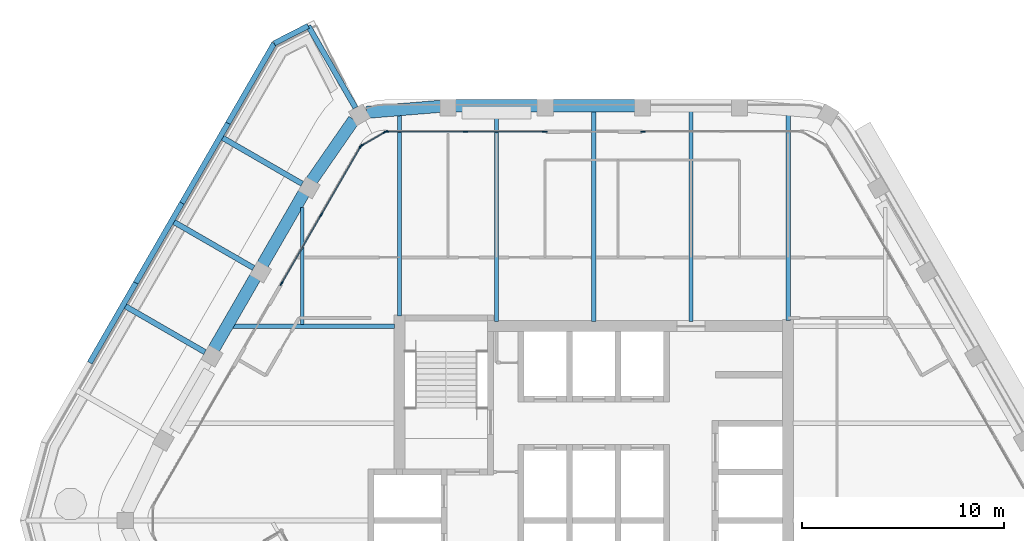
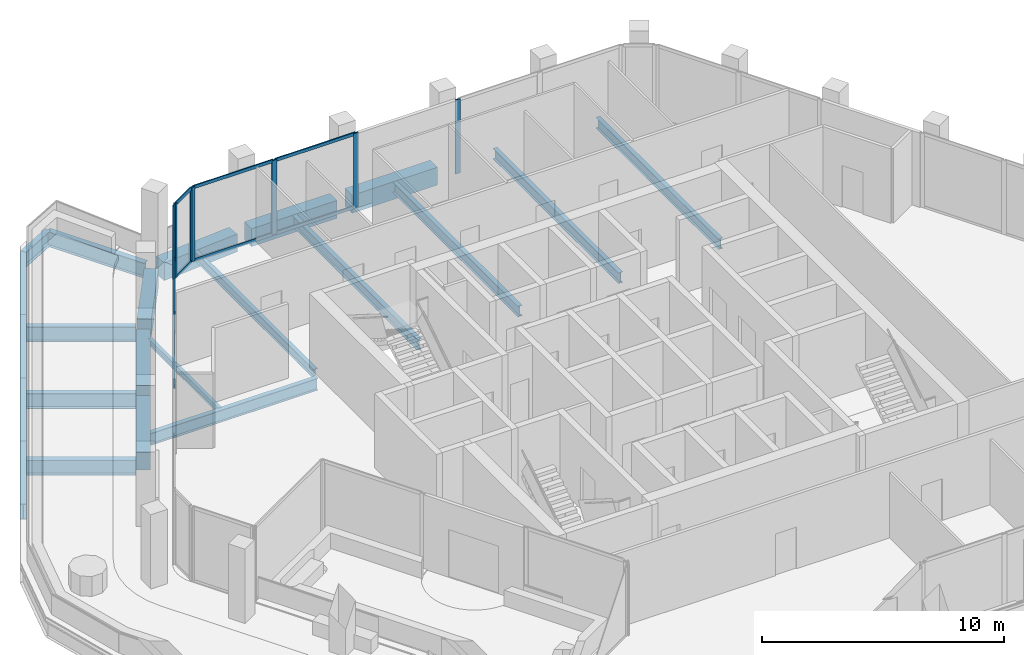
# One storey, part 5 of 15: 22 beams, 19 members, 4 elements without a shape of their own.
"""IFC4 building model written with IfcOpenShell, lengths in metres."""

import ifcopenshell
import ifcopenshell.guid

model = None  # the IFC model being written
_history = None  # IfcOwnerHistory: only IFC2X3 demands one
_inside = {}  # id of a spatial element -> (the spatial element, [elements in it])
_under = {}  # id of a project, library or spatial element -> (it, [spatial elements below it])
_declared = {}  # id of a project -> (the project, [libraries it declares])
_typed = {}  # id of a type object -> (the type object, [elements of that type])
_made_of = {}  # id of a material, layer set ... -> (it, [elements and type objects made of it])


def new_model(schema):
    """Start an empty IFC model of exactly this schema.

    Asked for "IFC4X3", IfcOpenShell would pick the latest addendum, in which some entities
    have other attributes; the version numbers below select the first issue.
    IFC2X3 requires an IfcOwnerHistory on every rooted entity: one is made here for all.
    """
    global model, _history
    if schema == "IFC4X3":
        model = ifcopenshell.file(schema_version=(4, 3, 0, 0))
    else:
        model = ifcopenshell.file(schema=schema)
    _inside.clear()
    _under.clear()
    _declared.clear()
    _typed.clear()
    _made_of.clear()
    _history = None
    if model.schema == "IFC2X3":
        org = make("IfcOrganization", Name="unknown")
        user = make(
            "IfcPersonAndOrganization",
            ThePerson=make("IfcPerson", FamilyName="unknown"),
            TheOrganization=org,
        )
        app = make(
            "IfcApplication",
            ApplicationDeveloper=org,
            Version="unknown",
            ApplicationFullName="unknown",
            ApplicationIdentifier="unknown",
        )
        _history = make(
            "IfcOwnerHistory",
            OwningUser=user,
            OwningApplication=app,
            ChangeAction="ADDED",
            CreationDate=0,
        )
    return model


def make(cls, **values):
    """One entity of the class cls with the attributes given. An attribute that is None is left unset."""
    return model.create_entity(
        cls, **{name: value for name, value in values.items() if value is not None}
    )


def rooted(cls, **values):
    """An entity with a GlobalId (a new one), such as an element, a storey or a relation."""
    return make(cls, GlobalId=ifcopenshell.guid.new(), OwnerHistory=_history, **values)


def si_unit(unit_type, name, prefix=None):
    """IfcSIUnit, for example si_unit("LENGTHUNIT", "METRE", prefix="MILLI")."""
    return make("IfcSIUnit", UnitType=unit_type, Prefix=prefix, Name=name)


def assignment(units):
    """IfcUnitAssignment: the units of a project."""
    return None if units is None else make("IfcUnitAssignment", Units=units)


def point(xyz):
    """IfcCartesianPoint."""
    return None if xyz is None else make("IfcCartesianPoint", Coordinates=xyz)


def direction(xyz):
    """IfcDirection."""
    return None if xyz is None else make("IfcDirection", DirectionRatios=xyz)


def frame(location, z_axis=None, x_axis=None):
    """IfcAxis2Placement3D, a coordinate frame: its origin and axes. An axis left out is left unset."""
    return make(
        "IfcAxis2Placement3D",
        Location=point(location),
        Axis=direction(z_axis),
        RefDirection=direction(x_axis),
    )


def frame_2d(location, x_axis=None):
    """IfcAxis2Placement2D, a coordinate frame in the plane: its origin and x axis."""
    return make(
        "IfcAxis2Placement2D", Location=point(location), RefDirection=direction(x_axis)
    )


def origin():
    """The frame at (0, 0, 0) with its axes left unset."""
    return frame((0.0, 0.0, 0.0))


def origin_2d():
    """The frame at (0, 0) in the plane with its x axis left unset."""
    return frame_2d((0.0, 0.0))


def place(relative_to, where):
    """IfcLocalPlacement: puts the frame where relative to a parent placement (None: the world)."""
    return make(
        "IfcLocalPlacement", PlacementRelTo=relative_to, RelativePlacement=where
    )


def context(
    kind, dimensions, precision=None, world=None, true_north=None, identifier=None
):
    """IfcGeometricRepresentationContext, for example the 3D "Model" context."""
    return make(
        "IfcGeometricRepresentationContext",
        ContextIdentifier=identifier,
        ContextType=kind,
        CoordinateSpaceDimension=dimensions,
        Precision=precision,
        WorldCoordinateSystem=world,
        TrueNorth=true_north,
    )


def subcontext(parent, identifier, kind, view, scale=None):
    """IfcGeometricRepresentationSubContext, for example "Body" below "Model"."""
    return make(
        "IfcGeometricRepresentationSubContext",
        ContextIdentifier=identifier,
        ContextType=kind,
        ParentContext=parent,
        TargetScale=scale,
        TargetView=view,
    )


def project(units=None, contexts=None):
    """IfcProject with its units and contexts."""
    return rooted(
        "IfcProject",
        Name="project",
        RepresentationContexts=contexts,
        UnitsInContext=assignment(units),
    )


def spatial(cls, under=None, at=None, **own):
    """A site, building, storey or space (cls), placed at a placement, below another one or the project."""
    s = rooted(cls, ObjectPlacement=at, **own)
    if under is not None:
        _under.setdefault(under.id(), (under, []))[1].append(s)
    return s


def profile(cls, at=None, kind="AREA", **sizes):
    """A parametric profile (cls). Its sizes go by their IFC names, for example OverallWidth=200.0."""
    return make(cls, ProfileType=kind, Position=at, **sizes)


def rectangle(**sizes):
    """IfcRectangleProfileDef."""
    return profile("IfcRectangleProfileDef", **sizes)


def i_section(**sizes):
    """IfcIShapeProfileDef."""
    return profile("IfcIShapeProfileDef", **sizes)


def extrude(swept, where, along, depth):
    """IfcExtrudedAreaSolid: the profile swept, set in the frame where, extruded along a direction by depth."""
    return make(
        "IfcExtrudedAreaSolid",
        SweptArea=swept,
        Position=where,
        ExtrudedDirection=direction(along),
        Depth=depth,
    )


def shape(context_of_items, identifier, shape_type, items):
    """IfcShapeRepresentation: the items that make up one representation, for example the "Body"."""
    return make(
        "IfcShapeRepresentation",
        ContextOfItems=context_of_items,
        RepresentationIdentifier=identifier,
        RepresentationType=shape_type,
        Items=items,
    )


def material(Name=None, Category=None):
    """IfcMaterial."""
    return make("IfcMaterial", Name=Name, Category=Category)


def material_profile(
    of_material, cross_section, Name=None, Category=None, Priority=None
):
    """IfcMaterialProfile: a cross section and its material."""
    return make(
        "IfcMaterialProfile",
        Name=Name,
        Material=of_material,
        Profile=cross_section,
        Priority=Priority,
        Category=Category,
    )


def profile_set(profiles, Name=None, composite=None):
    """IfcMaterialProfileSet."""
    return make(
        "IfcMaterialProfileSet",
        Name=Name,
        MaterialProfiles=profiles,
        CompositeProfile=composite,
    )


def made_of(thing, what):
    """Note that an element or type object is made of a material, layer set ...; save() writes the relation."""
    if what is not None:
        _made_of.setdefault(what.id(), (what, []))[1].append(thing)
    return thing


def type_object(cls, material=None, **own):
    """A type object (cls), such as IfcWallType, which elements share."""
    return made_of(rooted(cls, **own), material)


def element(
    cls,
    number,
    at=None,
    inside=None,
    cuts=None,
    type_object=None,
    material=None,
    context=None,
    identifier="Body",
    shape_type=None,
    held_by="IfcProductDefinitionShape",
    body=None,
    shapes=None,
    **own,
):
    """One element of the class cls, such as IfcWall. Its Tag is "e" and its number.

    at: its placement. inside: the storey or other place that contains it. cuts: it is an
    opening in that element (IfcRelVoidsElement). A single representation is given by context,
    identifier, shape_type and body (its items); several are given by shapes. held_by: the class
    of the entity that holds the representations. save() writes the other relations.
    """
    e = rooted(cls, Tag="e%d" % number, ObjectPlacement=at, **own)
    if body is not None:
        shapes = [shape(context, identifier, shape_type, body)]
    if shapes is not None:
        e.Representation = make(held_by, Representations=shapes)
    if inside is not None:
        _inside.setdefault(inside.id(), (inside, []))[1].append(e)
    if cuts is not None:
        rooted(
            "IfcRelVoidsElement", RelatingBuildingElement=cuts, RelatedOpeningElement=e
        )
    if type_object is not None:
        _typed.setdefault(type_object.id(), (type_object, []))[1].append(e)
    return made_of(e, material)


def aggregate(whole, parts):
    """IfcRelAggregates: a whole, such as a stair, and the parts it consists of."""
    return rooted("IfcRelAggregates", RelatingObject=whole, RelatedObjects=parts)


def save(model, path):
    """Write the relations noted so far, then the file.

    IfcRelAggregates (storeys below a building ...), IfcRelContainedInSpatialStructure (elements
    in a storey), IfcRelDefinesByType, IfcRelAssociatesMaterial and IfcRelDeclares: one each for
    every whole, place, type object, material and project.
    """
    for whole, parts in _under.values():
        aggregate(whole, parts)
    for where, things in _inside.values():
        rooted(
            "IfcRelContainedInSpatialStructure",
            RelatedElements=things,
            RelatingStructure=where,
        )
    for kind, things in _typed.values():
        rooted("IfcRelDefinesByType", RelatedObjects=things, RelatingType=kind)
    for what, things in _made_of.values():
        rooted("IfcRelAssociatesMaterial", RelatedObjects=things, RelatingMaterial=what)
    for by, libraries in _declared.values():
        rooted("IfcRelDeclares", RelatingContext=by, RelatedDefinitions=libraries)
    model.write(path)


model = new_model("IFC4")

# Units and contexts
model_context = context("Model", 3, precision=1e-05, world=origin(), true_north=direction((0.0, 1.0)))
body_context = subcontext(model_context, "Body", "Model", "MODEL_VIEW")
ifc_project = project(units=[si_unit("LENGTHUNIT", "METRE"), si_unit("AREAUNIT", "SQUARE_METRE"), si_unit("VOLUMEUNIT", "CUBIC_METRE"), si_unit("PLANEANGLEUNIT", "RADIAN"), si_unit("MASSUNIT", "GRAM", prefix="KILO")], contexts=[model_context])

# Site, building, storey
site_placement = place(None, origin())
site = spatial("IfcSite", under=ifc_project, at=site_placement, CompositionType="ELEMENT")
building_placement = place(site_placement, origin())
building = spatial("IfcBuilding", under=site, at=building_placement, Name="Kolab Exchange Tower", CompositionType="ELEMENT")
storey_placement = place(building_placement, frame((0.0, 0.0, 238.39990234375)))
storey = spatial("IfcBuildingStorey", under=building, at=storey_placement, Name="L52", CompositionType="ELEMENT", Elevation=238.39990234375)

# Beams
ifc_material_1 = material(Name="Steel S355", Category="steel")
ifc_material_profile_1 = material_profile(ifc_material_1, i_section(OverallWidth=0.1650390625, OverallDepth=0.31005859375, WebThickness=0.005859375, FlangeThickness=0.009765625, at=origin_2d()), Name="W310X39")
ifc_profile_set_1 = profile_set([ifc_material_profile_1], Name="Steel S355")
beam_type_1 = type_object("IfcBeamType", Name="FLOOR BEAM W310X39", PredefinedType="BEAM", material=ifc_profile_set_1)
beam_1_placement = place(storey_placement, frame((-14.39990234375, 9.674072265625, -0.304931640625), z_axis=(0.0, 1.0, 0.0), x_axis=(-1.0, 0.0, 0.0)))
element("IfcBeam", 1, at=beam_1_placement, inside=storey, type_object=beam_type_1, Name="beam/L52/fr/006", PredefinedType="BEAM", context=body_context, shape_type="SweptSolid", body=[
    extrude(i_section(OverallWidth=0.1650390625, OverallDepth=0.31005859375, WebThickness=0.005859375, FlangeThickness=0.009765625, at=origin_2d()), origin(), (0.0, 0.0, 1.0), 5.793701171875),
])
ifc_material_profile_2 = material_profile(ifc_material_1, i_section(OverallWidth=0.18994140625, OverallDepth=0.45703125, WebThickness=0.009033203125, FlangeThickness=0.014404296875, at=origin_2d()), Name="W460X74")
ifc_profile_set_2 = profile_set([ifc_material_profile_2], Name="Steel S355")
beam_type_2 = type_object("IfcBeamType", Name="FLOOR BEAM W460X74", PredefinedType="BEAM", material=ifc_profile_set_2)
beam_2_placement = place(storey_placement, frame((-9.60009765625, 10.110107421875, -0.37841796875), z_axis=(0.0, 1.0, 0.0), x_axis=(-1.0, 0.0, 0.0)))
element("IfcBeam", 2, at=beam_2_placement, inside=storey, type_object=beam_type_2, Name="beam/L52/fr/011", PredefinedType="BEAM", context=body_context, shape_type="SweptSolid", body=[
    extrude(i_section(OverallWidth=0.18994140625, OverallDepth=0.45703125, WebThickness=0.009033203125, FlangeThickness=0.014404296875, at=origin_2d()), origin(), (0.0, 0.0, 1.0), 9.9169921875),
])
ifc_material_profile_3 = material_profile(ifc_material_1, i_section(OverallWidth=0.208984375, OverallDepth=0.532958984375, WebThickness=0.01025390625, FlangeThickness=0.015625, at=origin_2d()), Name="W530X92")
ifc_profile_set_3 = profile_set([ifc_material_profile_3], Name="Steel S355")
beam_type_3 = type_object("IfcBeamType", Name="FLOOR BEAM W530X92", PredefinedType="BEAM", material=ifc_profile_set_3)
for number, where, z_axis, x_axis, name in (
    (3, (-4.800048828125, 9.8349609375, -0.41650390625), (0.0, 1.0, 0.0), (-1.0, 0.0, 0.0), "beam/L52/fr/013"),
    (4, (0.0, 9.8349609375, -0.41650390625), (0.0, 1.0, 0.0), (-1.0, 0.0, 0.0), "beam/L52/fr/015"),
    (5, (4.800048828125, 9.8349609375, -0.41650390625), (0.0, 1.0, 0.0), (-1.0, 0.0, 0.0), "beam/L52/fr/017"),
):
    element("IfcBeam", number, at=place(storey_placement, frame(where, z_axis=z_axis, x_axis=x_axis)), inside=storey, type_object=beam_type_3, Name=name, PredefinedType="BEAM", context=body_context, shape_type="SweptSolid", body=[
        extrude(i_section(OverallWidth=0.208984375, OverallDepth=0.532958984375, WebThickness=0.01025390625, FlangeThickness=0.015625, at=origin_2d()), origin(), (0.0, 0.0, 1.0), 10.3896484375),
    ])
beam_3_placement = place(storey_placement, frame((9.60009765625, 9.885009765625, -0.41650390625), z_axis=(0.0, 1.0, 0.0), x_axis=(-1.0, 0.0, 0.0)))
element("IfcBeam", 6, at=beam_3_placement, inside=storey, type_object=beam_type_3, Name="beam/L52/fr/019", PredefinedType="BEAM", context=body_context, shape_type="SweptSolid", body=[
    extrude(i_section(OverallWidth=0.208984375, OverallDepth=0.532958984375, WebThickness=0.01025390625, FlangeThickness=0.015625, at=origin_2d()), origin(), (0.0, 0.0, 1.0), 10.14208984375),
])
ifc_material_profile_4 = material_profile(ifc_material_1, i_section(OverallWidth=0.22802734375, OverallDepth=0.60791015625, WebThickness=0.01123046875, FlangeThickness=0.017333984375, at=origin_2d()), Name="W610X113")
ifc_profile_set_4 = profile_set([ifc_material_profile_4], Name="Steel S355")
beam_type_4 = type_object("IfcBeamType", Name="FLOOR GIRDER W610X113", PredefinedType="BEAM", material=ifc_profile_set_4)
beam_4_placement = place(storey_placement, frame((-17.8046875, 9.60009765625, -0.453857421875), z_axis=(1.0, 0.0, 0.0), x_axis=(0.0, 1.0, 0.0)))
element("IfcBeam", 7, at=beam_4_placement, inside=storey, type_object=beam_type_4, Name="beam/L52/gd/001", PredefinedType="BEAM", context=body_context, shape_type="SweptSolid", body=[
    extrude(i_section(OverallWidth=0.22802734375, OverallDepth=0.60791015625, WebThickness=0.01123046875, FlangeThickness=0.017333984375, at=origin_2d()), origin(), (0.0, 0.0, 1.0), 7.9697265625),
])
ifc_material_profile_5 = material_profile(ifc_material_1, i_section(OverallWidth=0.26708984375, OverallDepth=0.761962890625, WebThickness=0.014404296875, FlangeThickness=0.021484375, at=origin_2d()), Name="W760X173")
ifc_profile_set_5 = profile_set([ifc_material_profile_5], Name="Steel S355")
beam_type_5 = type_object("IfcBeamType", Name="FLOOR GIRDER W760X173", PredefinedType="BEAM", material=ifc_profile_set_5)
beam_5_placement = place(storey_placement, frame((-19.199951171875, 8.313720703125, -0.5908203125), z_axis=(-0.866020560687, 0.500008388397, 0.0), x_axis=(-0.500008388397, -0.866020560687, 0.0)))
element("IfcBeam", 8, at=beam_5_placement, inside=storey, type_object=beam_type_5, Name="beam/L52/ledge/rib-07", PredefinedType="BEAM", context=body_context, shape_type="SweptSolid", body=[
    extrude(i_section(OverallWidth=0.26708984375, OverallDepth=0.761962890625, WebThickness=0.014404296875, FlangeThickness=0.021484375, at=origin_2d()), origin(), (0.0, 0.0, 1.0), 4.533203125),
])
beam_6_placement = place(storey_placement, frame((-16.800048828125, 12.470703125, -0.5908203125), z_axis=(-0.866007095043, 0.500031710329, 0.0), x_axis=(-0.500031710329, -0.866007095043, 0.0)))
element("IfcBeam", 9, at=beam_6_placement, inside=storey, type_object=beam_type_5, Name="beam/L52/ledge/rib-08", PredefinedType="BEAM", context=body_context, shape_type="SweptSolid", body=[
    extrude(i_section(OverallWidth=0.26708984375, OverallDepth=0.761962890625, WebThickness=0.014404296875, FlangeThickness=0.021484375, at=origin_2d()), origin(), (0.0, 0.0, 1.0), 4.532958984375),
])
beam_7_placement = place(storey_placement, frame((-14.39990234375, 16.627685546875, -0.5908203125), z_axis=(-0.866020560687, 0.500008388397, 0.0), x_axis=(-0.500008388397, -0.866020560687, 0.0)))
element("IfcBeam", 10, at=beam_7_placement, inside=storey, type_object=beam_type_5, Name="beam/L52/ledge/rib-09", PredefinedType="BEAM", context=body_context, shape_type="SweptSolid", body=[
    extrude(i_section(OverallWidth=0.26708984375, OverallDepth=0.761962890625, WebThickness=0.014404296875, FlangeThickness=0.021484375, at=origin_2d()), origin(), (0.0, 0.0, 1.0), 4.533203125),
])
beam_8_placement = place(storey_placement, frame((-11.767822265625, 20.3828125, -0.5908203125), z_axis=(-0.500043984474, 0.866000007847, 0.0), x_axis=(-0.866000007847, -0.500043984474, 0.0)))
element("IfcBeam", 11, at=beam_8_placement, inside=storey, type_object=beam_type_5, Name="beam/L52/ledge/rib-10", PredefinedType="BEAM", context=body_context, shape_type="SweptSolid", body=[
    extrude(i_section(OverallWidth=0.26708984375, OverallDepth=0.761962890625, WebThickness=0.014404296875, FlangeThickness=0.021484375, at=origin_2d()), origin(), (0.0, 0.0, 1.0), 4.66650390625),
])
for number, where, z_axis, x_axis, name in (
    (12, (-24.890380859375, 7.791015625, -0.5908203125), (0.500038123928, 0.866003391805, 0.0), (-0.866003391805, 0.500038123928, 0.0), "beam/L52/ledge/edge-09"),
    (13, (-22.614013671875, 11.7333984375, -0.5908203125), (0.499974680739, 0.866040021373, 0.0), (-0.866040021373, 0.499974680739, 0.0), "beam/L52/ledge/edge-10"),
):
    element("IfcBeam", number, at=place(storey_placement, frame(where, z_axis=z_axis, x_axis=x_axis)), inside=storey, type_object=beam_type_5, Name=name, PredefinedType="BEAM", context=body_context, shape_type="SweptSolid", body=[
        extrude(i_section(OverallWidth=0.26708984375, OverallDepth=0.761962890625, WebThickness=0.014404296875, FlangeThickness=0.021484375, at=origin_2d()), origin(), (0.0, 0.0, 1.0), 4.552490234375),
    ])
beam_9_placement = place(storey_placement, frame((-20.337890625, 15.676025390625, -0.5908203125), z_axis=(0.499997902498, 0.866026614774, 0.0), x_axis=(-0.866026614774, 0.499997902498, 0.0)))
element("IfcBeam", 14, at=beam_9_placement, inside=storey, type_object=beam_type_5, Name="beam/L52/ledge/edge-11", PredefinedType="BEAM", context=body_context, shape_type="SweptSolid", body=[
    extrude(i_section(OverallWidth=0.26708984375, OverallDepth=0.761962890625, WebThickness=0.014404296875, FlangeThickness=0.021484375, at=origin_2d()), origin(), (0.0, 0.0, 1.0), 4.55224609375),
])
beam_10_placement = place(storey_placement, frame((-18.061767578125, 19.618408203125, -0.5908203125), z_axis=(0.500014901547, 0.866016800201, 0.0), x_axis=(-0.866016800201, 0.500014901547, 0.0)))
element("IfcBeam", 15, at=beam_10_placement, inside=storey, type_object=beam_type_5, Name="beam/L52/ledge/edge-12", PredefinedType="BEAM", context=body_context, shape_type="SweptSolid", body=[
    extrude(i_section(OverallWidth=0.26708984375, OverallDepth=0.761962890625, WebThickness=0.014404296875, FlangeThickness=0.021484375, at=origin_2d()), origin(), (0.0, 0.0, 1.0), 4.552490234375),
])
beam_11_placement = place(storey_placement, frame((-15.785400390625, 23.56103515625, -0.5908203125), z_axis=(0.889892665835, 0.456169971933, 0.0), x_axis=(-0.456169971933, 0.889892665835, 0.0)))
element("IfcBeam", 16, at=beam_11_placement, inside=storey, type_object=beam_type_5, Name="beam/L52/ledge/edge-13", PredefinedType="BEAM", context=body_context, shape_type="SweptSolid", body=[
    extrude(i_section(OverallWidth=0.26708984375, OverallDepth=0.761962890625, WebThickness=0.014404296875, FlangeThickness=0.021484375, at=origin_2d()), origin(), (0.0, 0.0, 1.0), 1.892333984375),
])
ifc_material_2 = material(Name="Concrete C50/60", Category="concrete")
ifc_material_profile_6 = material_profile(ifc_material_2, rectangle(XDim=0.60009765625, YDim=0.89990234375, at=origin_2d()), Name="RC600X900")
ifc_profile_set_6 = profile_set([ifc_material_profile_6], Name="Concrete C50/60")
beam_type_6 = type_object("IfcBeamType", Name="SPANDREL BEAM 600X900 C50/60", PredefinedType="BEAM", material=ifc_profile_set_6)
beam_12_placement = place(storey_placement, frame((-11.216796875, 20.15576171875, -0.599853515625), z_axis=(0.996666751878, 0.081580547323, 0.0), x_axis=(-0.081580547323, 0.996666751878, 0.0)))
element("IfcBeam", 17, at=beam_12_placement, inside=storey, type_object=beam_type_6, Name="beam/L52/sp/F1-01", PredefinedType="BEAM", context=body_context, shape_type="SweptSolid", body=[
    extrude(rectangle(XDim=0.60009765625, YDim=0.89990234375, at=origin_2d()), origin(), (0.0, 0.0, 1.0), 3.6689453125),
])
for number, where, z_axis, x_axis, name in (
    (18, (-6.840087890625, 20.484619140625, -0.599853515625), (1.0, 0.0, 0.0), (0.0, 1.0, 0.0), "beam/L52/sp/F1-02"),
    (19, (-2.0400390625, 20.484619140625, -0.599853515625), (1.0, 0.0, 0.0), (0.0, 1.0, 0.0), "beam/L52/sp/F1-03"),
    (20, (-18.76025390625, 8.4755859375, -0.599853515625), (0.500000428765, 0.866025156237, 0.0), (-0.866025156237, 0.500000428765, 0.0), "beam/L52/sp/F6-03"),
):
    element("IfcBeam", number, at=place(storey_placement, frame(where, z_axis=z_axis, x_axis=x_axis)), inside=storey, type_object=beam_type_6, Name=name, PredefinedType="BEAM", context=body_context, shape_type="SweptSolid", body=[
        extrude(rectangle(XDim=0.60009765625, YDim=0.89990234375, at=origin_2d()), origin(), (0.0, 0.0, 1.0), 4.080078125),
    ])
beam_13_placement = place(storey_placement, frame((-16.360107421875, 12.632568359375, -0.599853515625), z_axis=(0.499955548806, 0.866051066172, 0.0), x_axis=(-0.866051066172, 0.499955548806, 0.0)))
element("IfcBeam", 21, at=beam_13_placement, inside=storey, type_object=beam_type_6, Name="beam/L52/sp/F6-04", PredefinedType="BEAM", context=body_context, shape_type="SweptSolid", body=[
    extrude(rectangle(XDim=0.60009765625, YDim=0.89990234375, at=origin_2d()), origin(), (0.0, 0.0, 1.0), 4.079833984375),
])
beam_14_placement = place(storey_placement, frame((-13.9345703125, 16.77490234375, -0.599853515625), z_axis=(0.569005808573, 0.822333502789, 0.0), x_axis=(-0.822333502789, 0.569005808573, 0.0)))
element("IfcBeam", 22, at=beam_14_placement, inside=storey, type_object=beam_type_6, Name="beam/L52/sp/F6-05", PredefinedType="BEAM", context=body_context, shape_type="SweptSolid", body=[
    extrude(rectangle(XDim=0.60009765625, YDim=0.89990234375, at=origin_2d()), origin(), (0.0, 0.0, 1.0), 3.6689453125),
])

# Curtain wall, members
ifc_material_3 = material(Name="Aluminium EN AW-6063 T6", Category="aluminium")
curtain_wall_type = type_object("IfcCurtainWallType", Name="UNITISED HIGH ZONE CURTAIN WALL", PredefinedType="NOTDEFINED", material=ifc_material_3)
curtain_wall_1_placement = place(storey_placement, origin())
curtain_wall_1 = element("IfcCurtainWall", 23, at=curtain_wall_1_placement, inside=storey, type_object=curtain_wall_type, Name="cw/L52/F1-1", PredefinedType="NOTDEFINED")
ifc_material_profile_7 = material_profile(ifc_material_3, rectangle(XDim=0.06005859375, YDim=0.239990234375, at=origin_2d()), Name="RECT 60X240")
ifc_profile_set_7 = profile_set([ifc_material_profile_7], Name="Aluminium EN AW-6063 T6")
member_type_1 = type_object("IfcMemberType", Name="UNITISED HIGH ZONE MULLION 60 X 240", PredefinedType="MULLION", material=ifc_profile_set_7)
member_1_placement = place(storey_placement, frame((-10.238037109375, 19.20458984375, 0.0), z_axis=(0.0, 0.0, 1.0), x_axis=(0.0, 1.0, 0.0)))
member_1 = element("IfcMember", 24, at=member_1_placement, type_object=member_type_1, Name="CW4 mullion 1", PredefinedType="MULLION", context=body_context, shape_type="SweptSolid", body=[
    extrude(rectangle(XDim=0.06005859375, YDim=0.239990234375, at=origin_2d()), origin(), (0.0, 0.0, 1.0), 3.75),
])
member_2_placement = place(storey_placement, frame((-6.333984375, 19.20458984375, 0.0), z_axis=(0.0, 0.0, 1.0), x_axis=(0.0, 1.0, 0.0)))
member_2 = element("IfcMember", 25, at=member_2_placement, type_object=member_type_1, Name="CW4 mullion 2", PredefinedType="MULLION", context=body_context, shape_type="SweptSolid", body=[
    extrude(rectangle(XDim=0.06005859375, YDim=0.239990234375, at=origin_2d()), origin(), (0.0, 0.0, 1.0), 3.75),
])
member_3_placement = place(storey_placement, frame((-2.429931640625, 19.20458984375, 0.0), z_axis=(0.0, 0.0, 1.0), x_axis=(0.0, 1.0, 0.0)))
member_3 = element("IfcMember", 26, at=member_3_placement, type_object=member_type_1, Name="CW4 mullion 3", PredefinedType="MULLION", context=body_context, shape_type="SweptSolid", body=[
    extrude(rectangle(XDim=0.06005859375, YDim=0.239990234375, at=origin_2d()), origin(), (0.0, 0.0, 1.0), 3.75),
])

# Curtain wall, member
curtain_wall_2_placement = place(storey_placement, origin())
curtain_wall_2 = element("IfcCurtainWall", 27, at=curtain_wall_2_placement, inside=storey, type_object=curtain_wall_type, Name="cw/L52/F1-2", PredefinedType="NOTDEFINED")
member_4_placement = place(storey_placement, frame((2.429931640625, 19.20458984375, 0.0), z_axis=(0.0, 0.0, 1.0), x_axis=(0.0, 1.0, 0.0)))
member_4 = element("IfcMember", 28, at=member_4_placement, type_object=member_type_1, Name="CW4 mullion 1", PredefinedType="MULLION", context=body_context, shape_type="SweptSolid", body=[
    extrude(rectangle(XDim=0.06005859375, YDim=0.239990234375, at=origin_2d()), origin(), (0.0, 0.0, 1.0), 3.75),
])
aggregate(curtain_wall_2, [member_4])

# Curtain wall, members
curtain_wall_3_placement = place(storey_placement, origin())
curtain_wall_3 = element("IfcCurtainWall", 29, at=curtain_wall_3_placement, inside=storey, type_object=curtain_wall_type, Name="cw/L52/F6-2", PredefinedType="NOTDEFINED")
member_5_placement = place(storey_placement, frame((-15.416748046875, 11.706787109375, 0.0), z_axis=(0.0, 0.0, 1.0), x_axis=(-0.866025385493, 0.500000031681, 0.0)))
member_5 = element("IfcMember", 30, at=member_5_placement, type_object=member_type_1, Name="CW4 mullion 1", PredefinedType="MULLION", context=body_context, shape_type="SweptSolid", body=[
    extrude(rectangle(XDim=0.06005859375, YDim=0.239990234375, at=origin_2d()), origin(), (0.0, 0.0, 1.0), 3.75),
])
member_6_placement = place(storey_placement, frame((-13.464599609375, 15.087646484375, 0.0), z_axis=(0.0, 0.0, 1.0), x_axis=(-0.866025385493, 0.500000031681, 0.0)))
member_6 = element("IfcMember", 31, at=member_6_placement, type_object=member_type_1, Name="CW4 mullion 2", PredefinedType="MULLION", context=body_context, shape_type="SweptSolid", body=[
    extrude(rectangle(XDim=0.06005859375, YDim=0.239990234375, at=origin_2d()), origin(), (0.0, 0.0, 1.0), 3.75),
])
member_7_placement = place(storey_placement, frame((-11.5126953125, 18.46875, 0.0), z_axis=(0.0, 0.0, 1.0), x_axis=(-0.866025385493, 0.500000031681, 0.0)))
member_7 = element("IfcMember", 32, at=member_7_placement, type_object=member_type_1, Name="CW4 mullion 3", PredefinedType="MULLION", context=body_context, shape_type="SweptSolid", body=[
    extrude(rectangle(XDim=0.06005859375, YDim=0.239990234375, at=origin_2d()), origin(), (0.0, 0.0, 1.0), 3.75),
])

curtain_wall_4_placement = place(storey_placement, origin())
curtain_wall_4 = element("IfcCurtainWall", 33, at=curtain_wall_4_placement, inside=storey, type_object=curtain_wall_type, Name="cw/L52/F6F1-corner", PredefinedType="NOTDEFINED")
member_8_placement = place(storey_placement, frame((-11.4716796875, 18.509521484375, 0.0), z_axis=(0.0, 0.0, 1.0), x_axis=(-0.50000002237, 0.866025390869, 0.0)))
member_8 = element("IfcMember", 34, at=member_8_placement, type_object=member_type_1, Name="CW4 mullion 1", PredefinedType="MULLION", context=body_context, shape_type="SweptSolid", body=[
    extrude(rectangle(XDim=0.06005859375, YDim=0.239990234375, at=origin_2d()), origin(), (0.0, 0.0, 1.0), 3.75),
])
member_9_placement = place(storey_placement, frame((-10.2939453125, 19.189697265625, 0.0), z_axis=(0.0, 0.0, 1.0), x_axis=(-0.50000002237, 0.866025390869, 0.0)))
member_9 = element("IfcMember", 35, at=member_9_placement, type_object=member_type_1, Name="CW4 mullion 2", PredefinedType="MULLION", context=body_context, shape_type="SweptSolid", body=[
    extrude(rectangle(XDim=0.06005859375, YDim=0.239990234375, at=origin_2d()), origin(), (0.0, 0.0, 1.0), 3.75),
])

# Member
ifc_material_profile_8 = material_profile(ifc_material_3, rectangle(XDim=0.06005859375, YDim=0.159912109375, at=origin_2d()), Name="RECT 60X160")
ifc_profile_set_8 = profile_set([ifc_material_profile_8], Name="Aluminium EN AW-6063 T6")
member_type_2 = type_object("IfcMemberType", Name="UNITISED HIGH ZONE TRANSOM 60 X 160", PredefinedType="USERDEFINED", material=ifc_profile_set_8)
member_10_placement = place(storey_placement, frame((-10.2080078125, 19.20458984375, 0.030029296875), z_axis=(1.0, 0.0, 0.0), x_axis=(0.0, 1.0, 0.0)))
member_10 = element("IfcMember", 36, at=member_10_placement, type_object=member_type_2, Name="CW4 transom 1.1", ObjectType="TRANSOM", PredefinedType="USERDEFINED", context=body_context, shape_type="SweptSolid", body=[
    extrude(rectangle(XDim=0.06005859375, YDim=0.159912109375, at=origin_2d()), origin(), (0.0, 0.0, 1.0), 3.843994140625),
])

member_11_placement = place(storey_placement, frame((-10.2080078125, 19.20458984375, 3.72021484375), z_axis=(1.0, 0.0, 0.0), x_axis=(0.0, 1.0, 0.0)))
member_11 = element("IfcMember", 37, at=member_11_placement, type_object=member_type_2, Name="CW4 transom 1.2", ObjectType="TRANSOM", PredefinedType="USERDEFINED", context=body_context, shape_type="SweptSolid", body=[
    extrude(rectangle(XDim=0.06005859375, YDim=0.159912109375, at=origin_2d()), origin(), (0.0, 0.0, 1.0), 3.843994140625),
])

member_12_placement = place(storey_placement, frame((-6.303955078125, 19.20458984375, 0.030029296875), z_axis=(1.0, 0.0, 0.0), x_axis=(0.0, 1.0, 0.0)))
member_12 = element("IfcMember", 38, at=member_12_placement, type_object=member_type_2, Name="CW4 transom 2.1", ObjectType="TRANSOM", PredefinedType="USERDEFINED", context=body_context, shape_type="SweptSolid", body=[
    extrude(rectangle(XDim=0.06005859375, YDim=0.159912109375, at=origin_2d()), origin(), (0.0, 0.0, 1.0), 3.843994140625),
])

member_13_placement = place(storey_placement, frame((-6.303955078125, 19.20458984375, 3.72021484375), z_axis=(1.0, 0.0, 0.0), x_axis=(0.0, 1.0, 0.0)))
member_13 = element("IfcMember", 39, at=member_13_placement, type_object=member_type_2, Name="CW4 transom 2.2", ObjectType="TRANSOM", PredefinedType="USERDEFINED", context=body_context, shape_type="SweptSolid", body=[
    extrude(rectangle(XDim=0.06005859375, YDim=0.159912109375, at=origin_2d()), origin(), (0.0, 0.0, 1.0), 3.843994140625),
])

aggregate(curtain_wall_1, [member_1, member_2, member_3, member_10, member_11, member_12, member_13])

member_14_placement = place(storey_placement, frame((-15.401611328125, 11.732666015625, 0.030029296875), z_axis=(0.499964356602, 0.866045981532, 0.0), x_axis=(-0.866045981532, 0.499964356602, 0.0)))
member_14 = element("IfcMember", 40, at=member_14_placement, type_object=member_type_2, Name="CW4 transom 1.1", ObjectType="TRANSOM", PredefinedType="USERDEFINED", context=body_context, shape_type="SweptSolid", body=[
    extrude(rectangle(XDim=0.06005859375, YDim=0.159912109375, at=origin_2d()), origin(), (0.0, 0.0, 1.0), 3.843994140625),
])

member_15_placement = place(storey_placement, frame((-15.401611328125, 11.732666015625, 3.72021484375), z_axis=(0.499964356602, 0.866045981532, 0.0), x_axis=(-0.866045981532, 0.499964356602, 0.0)))
member_15 = element("IfcMember", 41, at=member_15_placement, type_object=member_type_2, Name="CW4 transom 1.2", ObjectType="TRANSOM", PredefinedType="USERDEFINED", context=body_context, shape_type="SweptSolid", body=[
    extrude(rectangle(XDim=0.06005859375, YDim=0.159912109375, at=origin_2d()), origin(), (0.0, 0.0, 1.0), 3.843994140625),
])

member_16_placement = place(storey_placement, frame((-13.44970703125, 15.11376953125, 0.030029296875), z_axis=(0.500039492609, 0.866002601515, 0.0), x_axis=(-0.866002601515, 0.500039492609, 0.0)))
member_16 = element("IfcMember", 42, at=member_16_placement, type_object=member_type_2, Name="CW4 transom 2.1", ObjectType="TRANSOM", PredefinedType="USERDEFINED", context=body_context, shape_type="SweptSolid", body=[
    extrude(rectangle(XDim=0.06005859375, YDim=0.159912109375, at=origin_2d()), origin(), (0.0, 0.0, 1.0), 3.843994140625),
])

member_17_placement = place(storey_placement, frame((-13.44970703125, 15.11376953125, 3.72021484375), z_axis=(0.500039492609, 0.866002601515, 0.0), x_axis=(-0.866002601515, 0.500039492609, 0.0)))
member_17 = element("IfcMember", 43, at=member_17_placement, type_object=member_type_2, Name="CW4 transom 2.2", ObjectType="TRANSOM", PredefinedType="USERDEFINED", context=body_context, shape_type="SweptSolid", body=[
    extrude(rectangle(XDim=0.06005859375, YDim=0.159912109375, at=origin_2d()), origin(), (0.0, 0.0, 1.0), 3.843994140625),
])

aggregate(curtain_wall_3, [member_5, member_6, member_7, member_14, member_15, member_16, member_17])

member_18_placement = place(storey_placement, frame((-11.44580078125, 18.524658203125, 0.030029296875), z_axis=(0.866085525409, 0.49989585183, 0.0), x_axis=(-0.49989585183, 0.866085525409, 0.0)))
member_18 = element("IfcMember", 44, at=member_18_placement, type_object=member_type_2, Name="CW4 transom 1.1", ObjectType="TRANSOM", PredefinedType="USERDEFINED", context=body_context, shape_type="SweptSolid", body=[
    extrude(rectangle(XDim=0.06005859375, YDim=0.159912109375, at=origin_2d()), origin(), (0.0, 0.0, 1.0), 1.300048828125),
])

member_19_placement = place(storey_placement, frame((-11.44580078125, 18.524658203125, 3.72021484375), z_axis=(0.866085525409, 0.49989585183, 0.0), x_axis=(-0.49989585183, 0.866085525409, 0.0)))
member_19 = element("IfcMember", 45, at=member_19_placement, type_object=member_type_2, Name="CW4 transom 1.2", ObjectType="TRANSOM", PredefinedType="USERDEFINED", context=body_context, shape_type="SweptSolid", body=[
    extrude(rectangle(XDim=0.06005859375, YDim=0.159912109375, at=origin_2d()), origin(), (0.0, 0.0, 1.0), 1.300048828125),
])

aggregate(curtain_wall_4, [member_8, member_9, member_18, member_19])

save(model, "model.ifc")
